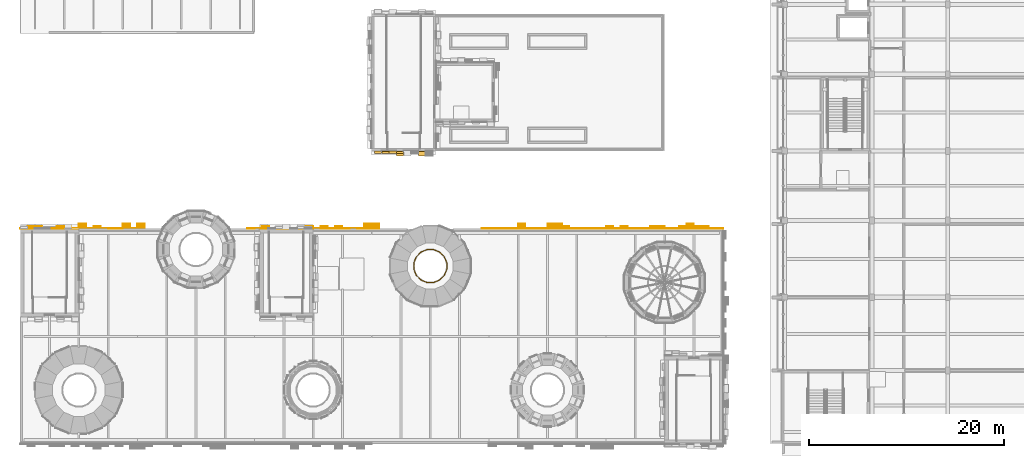
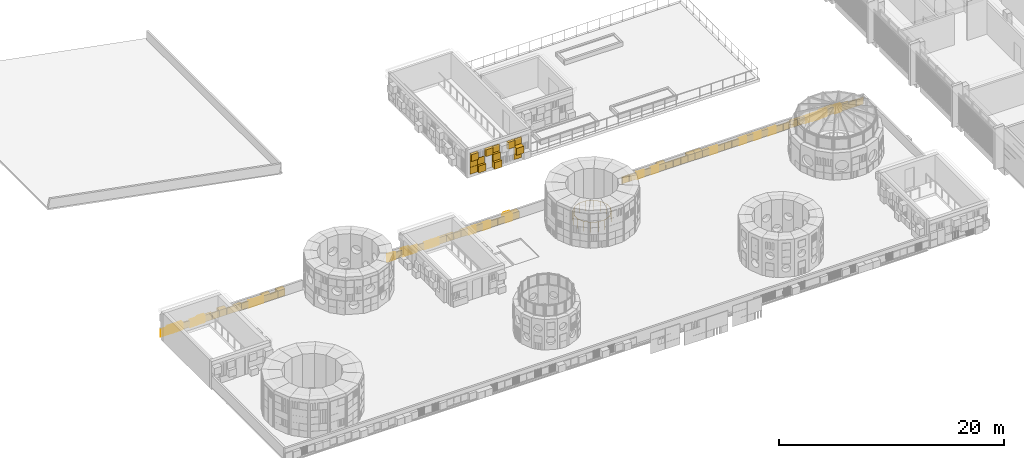
# One storey, part 79 of 98: 9 coverings, 1 railing.
"""IFC4 building model written with IfcOpenShell, lengths in metres."""

import ifcopenshell
import ifcopenshell.guid

model = None  # the IFC model being written
_history = None  # IfcOwnerHistory: only IFC2X3 demands one
_inside = {}  # id of a spatial element -> (the spatial element, [elements in it])
_under = {}  # id of a project, library or spatial element -> (it, [spatial elements below it])
_declared = {}  # id of a project -> (the project, [libraries it declares])
_typed = {}  # id of a type object -> (the type object, [elements of that type])
_made_of = {}  # id of a material, layer set ... -> (it, [elements and type objects made of it])


def new_model(schema):
    """Start an empty IFC model of exactly this schema.

    Asked for "IFC4X3", IfcOpenShell would pick the latest addendum, in which some entities
    have other attributes; the version numbers below select the first issue.
    IFC2X3 requires an IfcOwnerHistory on every rooted entity: one is made here for all.
    """
    global model, _history
    if schema == "IFC4X3":
        model = ifcopenshell.file(schema_version=(4, 3, 0, 0))
    else:
        model = ifcopenshell.file(schema=schema)
    _inside.clear()
    _under.clear()
    _declared.clear()
    _typed.clear()
    _made_of.clear()
    _history = None
    if model.schema == "IFC2X3":
        org = make("IfcOrganization", Name="unknown")
        user = make(
            "IfcPersonAndOrganization",
            ThePerson=make("IfcPerson", FamilyName="unknown"),
            TheOrganization=org,
        )
        app = make(
            "IfcApplication",
            ApplicationDeveloper=org,
            Version="unknown",
            ApplicationFullName="unknown",
            ApplicationIdentifier="unknown",
        )
        _history = make(
            "IfcOwnerHistory",
            OwningUser=user,
            OwningApplication=app,
            ChangeAction="ADDED",
            CreationDate=0,
        )
    return model


def make(cls, **values):
    """One entity of the class cls with the attributes given. An attribute that is None is left unset."""
    return model.create_entity(
        cls, **{name: value for name, value in values.items() if value is not None}
    )


def rooted(cls, **values):
    """An entity with a GlobalId (a new one), such as an element, a storey or a relation."""
    return make(cls, GlobalId=ifcopenshell.guid.new(), OwnerHistory=_history, **values)


def si_unit(unit_type, name, prefix=None):
    """IfcSIUnit, for example si_unit("LENGTHUNIT", "METRE", prefix="MILLI")."""
    return make("IfcSIUnit", UnitType=unit_type, Prefix=prefix, Name=name)


def assignment(units):
    """IfcUnitAssignment: the units of a project."""
    return None if units is None else make("IfcUnitAssignment", Units=units)


def point(xyz):
    """IfcCartesianPoint."""
    return None if xyz is None else make("IfcCartesianPoint", Coordinates=xyz)


def direction(xyz):
    """IfcDirection."""
    return None if xyz is None else make("IfcDirection", DirectionRatios=xyz)


def frame(location, z_axis=None, x_axis=None):
    """IfcAxis2Placement3D, a coordinate frame: its origin and axes. An axis left out is left unset."""
    return make(
        "IfcAxis2Placement3D",
        Location=point(location),
        Axis=direction(z_axis),
        RefDirection=direction(x_axis),
    )


def frame_2d(location, x_axis=None):
    """IfcAxis2Placement2D, a coordinate frame in the plane: its origin and x axis."""
    return make(
        "IfcAxis2Placement2D", Location=point(location), RefDirection=direction(x_axis)
    )


def origin():
    """The frame at (0, 0, 0) with its axes left unset."""
    return frame((0.0, 0.0, 0.0))


def origin_2d():
    """The frame at (0, 0) in the plane with its x axis left unset."""
    return frame_2d((0.0, 0.0))


def place(relative_to, where):
    """IfcLocalPlacement: puts the frame where relative to a parent placement (None: the world)."""
    return make(
        "IfcLocalPlacement", PlacementRelTo=relative_to, RelativePlacement=where
    )


def context(
    kind, dimensions, precision=None, world=None, true_north=None, identifier=None
):
    """IfcGeometricRepresentationContext, for example the 3D "Model" context."""
    return make(
        "IfcGeometricRepresentationContext",
        ContextIdentifier=identifier,
        ContextType=kind,
        CoordinateSpaceDimension=dimensions,
        Precision=precision,
        WorldCoordinateSystem=world,
        TrueNorth=true_north,
    )


def subcontext(parent, identifier, kind, view, scale=None):
    """IfcGeometricRepresentationSubContext, for example "Body" below "Model"."""
    return make(
        "IfcGeometricRepresentationSubContext",
        ContextIdentifier=identifier,
        ContextType=kind,
        ParentContext=parent,
        TargetScale=scale,
        TargetView=view,
    )


def project(units=None, contexts=None):
    """IfcProject with its units and contexts."""
    return rooted(
        "IfcProject",
        Name="project",
        RepresentationContexts=contexts,
        UnitsInContext=assignment(units),
    )


def spatial(cls, under=None, at=None, **own):
    """A site, building, storey or space (cls), placed at a placement, below another one or the project."""
    s = rooted(cls, ObjectPlacement=at, **own)
    if under is not None:
        _under.setdefault(under.id(), (under, []))[1].append(s)
    return s


def profile(cls, at=None, kind="AREA", **sizes):
    """A parametric profile (cls). Its sizes go by their IFC names, for example OverallWidth=200.0."""
    return make(cls, ProfileType=kind, Position=at, **sizes)


def rectangle(**sizes):
    """IfcRectangleProfileDef."""
    return profile("IfcRectangleProfileDef", **sizes)


def circle(**sizes):
    """IfcCircleProfileDef."""
    return profile("IfcCircleProfileDef", **sizes)


def extrude(swept, where, along, depth):
    """IfcExtrudedAreaSolid: the profile swept, set in the frame where, extruded along a direction by depth."""
    return make(
        "IfcExtrudedAreaSolid",
        SweptArea=swept,
        Position=where,
        ExtrudedDirection=direction(along),
        Depth=depth,
    )


def shape(context_of_items, identifier, shape_type, items):
    """IfcShapeRepresentation: the items that make up one representation, for example the "Body"."""
    return make(
        "IfcShapeRepresentation",
        ContextOfItems=context_of_items,
        RepresentationIdentifier=identifier,
        RepresentationType=shape_type,
        Items=items,
    )


def material(Name=None, Category=None):
    """IfcMaterial."""
    return make("IfcMaterial", Name=Name, Category=Category)


def layer(
    of_material, thickness, ventilated=None, Name=None, Category=None, Priority=None
):
    """IfcMaterialLayer: one layer of a wall or slab, of a material (None: an air gap)."""
    return make(
        "IfcMaterialLayer",
        Material=of_material,
        LayerThickness=thickness,
        IsVentilated=ventilated,
        Name=Name,
        Category=Category,
        Priority=Priority,
    )


def layer_set(layers, Name=None):
    """IfcMaterialLayerSet."""
    return make("IfcMaterialLayerSet", MaterialLayers=layers, LayerSetName=Name)


def made_of(thing, what):
    """Note that an element or type object is made of a material, layer set ...; save() writes the relation."""
    if what is not None:
        _made_of.setdefault(what.id(), (what, []))[1].append(thing)
    return thing


def type_object(cls, material=None, **own):
    """A type object (cls), such as IfcWallType, which elements share."""
    return made_of(rooted(cls, **own), material)


def element(
    cls,
    number,
    at=None,
    inside=None,
    cuts=None,
    type_object=None,
    material=None,
    context=None,
    identifier="Body",
    shape_type=None,
    held_by="IfcProductDefinitionShape",
    body=None,
    shapes=None,
    **own,
):
    """One element of the class cls, such as IfcWall. Its Tag is "e" and its number.

    at: its placement. inside: the storey or other place that contains it. cuts: it is an
    opening in that element (IfcRelVoidsElement). A single representation is given by context,
    identifier, shape_type and body (its items); several are given by shapes. held_by: the class
    of the entity that holds the representations. save() writes the other relations.
    """
    e = rooted(cls, Tag="e%d" % number, ObjectPlacement=at, **own)
    if body is not None:
        shapes = [shape(context, identifier, shape_type, body)]
    if shapes is not None:
        e.Representation = make(held_by, Representations=shapes)
    if inside is not None:
        _inside.setdefault(inside.id(), (inside, []))[1].append(e)
    if cuts is not None:
        rooted(
            "IfcRelVoidsElement", RelatingBuildingElement=cuts, RelatedOpeningElement=e
        )
    if type_object is not None:
        _typed.setdefault(type_object.id(), (type_object, []))[1].append(e)
    return made_of(e, material)


def aggregate(whole, parts):
    """IfcRelAggregates: a whole, such as a stair, and the parts it consists of."""
    return rooted("IfcRelAggregates", RelatingObject=whole, RelatedObjects=parts)


def save(model, path):
    """Write the relations noted so far, then the file.

    IfcRelAggregates (storeys below a building ...), IfcRelContainedInSpatialStructure (elements
    in a storey), IfcRelDefinesByType, IfcRelAssociatesMaterial and IfcRelDeclares: one each for
    every whole, place, type object, material and project.
    """
    for whole, parts in _under.values():
        aggregate(whole, parts)
    for where, things in _inside.values():
        rooted(
            "IfcRelContainedInSpatialStructure",
            RelatedElements=things,
            RelatingStructure=where,
        )
    for kind, things in _typed.values():
        rooted("IfcRelDefinesByType", RelatedObjects=things, RelatingType=kind)
    for what, things in _made_of.values():
        rooted("IfcRelAssociatesMaterial", RelatedObjects=things, RelatingMaterial=what)
    for by, libraries in _declared.values():
        rooted("IfcRelDeclares", RelatingContext=by, RelatedDefinitions=libraries)
    model.write(path)


model = new_model("IFC4")

# Units and contexts
model_context = context("Model", 3, precision=1e-05, world=origin(), true_north=direction((0.0, 1.0)))
body_context = subcontext(model_context, "Body", "Model", "MODEL_VIEW")
ifc_project = project(units=[si_unit("LENGTHUNIT", "METRE"), si_unit("AREAUNIT", "SQUARE_METRE"), si_unit("VOLUMEUNIT", "CUBIC_METRE"), si_unit("PLANEANGLEUNIT", "RADIAN"), si_unit("MASSUNIT", "GRAM", prefix="KILO")], contexts=[model_context])

# Site, building, storey
site_placement = place(None, origin())
site = spatial("IfcSite", under=ifc_project, at=site_placement, CompositionType="ELEMENT")
building_placement = place(site_placement, origin())
building = spatial("IfcBuilding", under=site, at=building_placement, Name="Sun Court Science Centre", CompositionType="ELEMENT")
storey_placement = place(building_placement, frame((0.0, 0.0, 15.75)))
storey = spatial("IfcBuildingStorey", under=building, at=storey_placement, Name="L03", CompositionType="ELEMENT", Elevation=15.75)

# Railing
ifc_material_1 = material(Name="Steel S275", Category="steel")
railing_type = type_object("IfcRailingType", Name="Guard 1100 well balustrade", PredefinedType="GUARDRAIL", material=ifc_material_1)
railing_placement = place(storey_placement, frame((43.68701171875, 24.53564453125, 0.110107421875)))
element("IfcRailing", 1, at=railing_placement, inside=storey, type_object=railing_type, Name="C4 well guard L03", PredefinedType="GUARDRAIL", context=body_context, shape_type="SweptSolid", body=[
    extrude(circle(Radius=0.02392578125, at=origin_2d()), frame((0.0, 0.0, 1.076171875), z_axis=(-0.382780256271, 0.923839420792, 0.0), x_axis=(-0.923839420792, -0.382780256271, 0.0)), (0.0, 0.0, 1.0), 0.6708984375),
    extrude(circle(Radius=0.02392578125, at=origin_2d()), frame((-0.2568359375, 0.619873046875, 1.076171875), z_axis=(-0.707106781187, 0.707106781187, 0.0), x_axis=(-0.707106781187, -0.707106781187, 0.0)), (0.0, 0.0, 1.0), 0.671142578125),
    extrude(circle(Radius=0.02392578125, at=origin_2d()), frame((-0.7314453125, 1.094482421875, 1.076171875), z_axis=(-0.923892706888, 0.382651625058, 0.0), x_axis=(-0.382651625058, -0.923892706888, 0.0)), (0.0, 0.0, 1.0), 0.671142578125),
    extrude(circle(Radius=0.02392578125, at=origin_2d()), frame((-1.3515625, 1.351318359375, 1.076171875), z_axis=(-1.0, 0.0, 0.0), x_axis=(0.0, -1.0, 0.0)), (0.0, 0.0, 1.0), 0.6708984375),
    extrude(circle(Radius=0.02392578125, at=origin_2d()), frame((-2.0224609375, 1.351318359375, 1.076171875), z_axis=(-0.923892706888, -0.382651625058, 0.0), x_axis=(0.382651625058, -0.923892706888, 0.0)), (0.0, 0.0, 1.0), 0.671142578125),
    extrude(circle(Radius=0.02392578125, at=origin_2d()), frame((-2.642578125, 1.094482421875, 1.076171875), z_axis=(-0.707106781187, -0.707106781187, 0.0), x_axis=(0.707106781187, -0.707106781187, 0.0)), (0.0, 0.0, 1.0), 0.671142578125),
    extrude(circle(Radius=0.02392578125, at=origin_2d()), frame((-3.1171875, 0.619873046875, 1.076171875), z_axis=(-0.382780256271, -0.923839420792, 0.0), x_axis=(0.923839420792, -0.382780256271, 0.0)), (0.0, 0.0, 1.0), 0.6708984375),
    extrude(circle(Radius=0.02392578125, at=origin_2d()), frame((-3.3740234375, 0.0, 1.076171875), z_axis=(0.0, -1.0, 0.0), x_axis=(1.0, 0.0, 0.0)), (0.0, 0.0, 1.0), 0.671142578125),
    extrude(circle(Radius=0.02392578125, at=origin_2d()), frame((-3.3740234375, -0.671142578125, 1.076171875), z_axis=(0.382651625058, -0.923892706888, 0.0), x_axis=(0.923892706888, 0.382651625058, 0.0)), (0.0, 0.0, 1.0), 0.671142578125),
    extrude(circle(Radius=0.02392578125, at=origin_2d()), frame((-3.1171875, -1.291259765625, 1.076171875), z_axis=(0.707106781187, -0.707106781187, 0.0), x_axis=(0.707106781187, 0.707106781187, 0.0)), (0.0, 0.0, 1.0), 0.671142578125),
    extrude(circle(Radius=0.02392578125, at=origin_2d()), frame((-2.642578125, -1.765869140625, 1.076171875), z_axis=(0.923892706888, -0.382651625058, 0.0), x_axis=(0.382651625058, 0.923892706888, 0.0)), (0.0, 0.0, 1.0), 0.671142578125),
    extrude(circle(Radius=0.02392578125, at=origin_2d()), frame((-2.0224609375, -2.022705078125, 1.076171875), z_axis=(1.0, 0.0, 0.0), x_axis=(0.0, 1.0, 0.0)), (0.0, 0.0, 1.0), 0.6708984375),
    extrude(circle(Radius=0.02392578125, at=origin_2d()), frame((-1.3515625, -2.022705078125, 1.076171875), z_axis=(0.923892706888, 0.382651625058, 0.0), x_axis=(-0.382651625058, 0.923892706888, 0.0)), (0.0, 0.0, 1.0), 0.671142578125),
    extrude(circle(Radius=0.02392578125, at=origin_2d()), frame((-0.7314453125, -1.765869140625, 1.076171875), z_axis=(0.707106781187, 0.707106781187, 0.0), x_axis=(-0.707106781187, 0.707106781187, 0.0)), (0.0, 0.0, 1.0), 0.671142578125),
    extrude(circle(Radius=0.02392578125, at=origin_2d()), frame((-0.2568359375, -1.291259765625, 1.076171875), z_axis=(0.382651625058, 0.923892706888, 0.0), x_axis=(-0.923892706888, 0.382651625058, 0.0)), (0.0, 0.0, 1.0), 0.671142578125),
    extrude(circle(Radius=0.02392578125, at=origin_2d()), frame((0.0, -0.671142578125, 1.076171875), z_axis=(0.0, 1.0, 0.0), x_axis=(-1.0, 0.0, 0.0)), (0.0, 0.0, 1.0), 0.671142578125),
    extrude(circle(Radius=0.02099609375, at=origin_2d()), origin(), (0.0, 0.0, 1.0), 1.052001953125),
    extrude(circle(Radius=0.02099609375, at=origin_2d()), frame((-0.2568359375, 0.619873046875, 0.0)), (0.0, 0.0, 1.0), 1.052001953125),
    extrude(circle(Radius=0.02099609375, at=origin_2d()), frame((-0.7314453125, 1.094482421875, 0.0)), (0.0, 0.0, 1.0), 1.052001953125),
    extrude(circle(Radius=0.02099609375, at=origin_2d()), frame((-1.3515625, 1.351318359375, 0.0)), (0.0, 0.0, 1.0), 1.052001953125),
    extrude(circle(Radius=0.02099609375, at=origin_2d()), frame((-2.0224609375, 1.351318359375, 0.0)), (0.0, 0.0, 1.0), 1.052001953125),
    extrude(circle(Radius=0.02099609375, at=origin_2d()), frame((-2.642578125, 1.094482421875, 0.0)), (0.0, 0.0, 1.0), 1.052001953125),
    extrude(circle(Radius=0.02099609375, at=origin_2d()), frame((-3.1171875, 0.619873046875, 0.0)), (0.0, 0.0, 1.0), 1.052001953125),
    extrude(circle(Radius=0.02099609375, at=origin_2d()), frame((-3.3740234375, 0.0, 0.0)), (0.0, 0.0, 1.0), 1.052001953125),
    extrude(circle(Radius=0.02099609375, at=origin_2d()), frame((-3.3740234375, -0.671142578125, 0.0)), (0.0, 0.0, 1.0), 1.052001953125),
    extrude(circle(Radius=0.02099609375, at=origin_2d()), frame((-3.1171875, -1.291259765625, 0.0)), (0.0, 0.0, 1.0), 1.052001953125),
    extrude(circle(Radius=0.02099609375, at=origin_2d()), frame((-2.642578125, -1.765869140625, 0.0)), (0.0, 0.0, 1.0), 1.052001953125),
    extrude(circle(Radius=0.02099609375, at=origin_2d()), frame((-2.0224609375, -2.022705078125, 0.0)), (0.0, 0.0, 1.0), 1.052001953125),
    extrude(circle(Radius=0.02099609375, at=origin_2d()), frame((-1.3515625, -2.022705078125, 0.0)), (0.0, 0.0, 1.0), 1.052001953125),
    extrude(circle(Radius=0.02099609375, at=origin_2d()), frame((-0.7314453125, -1.765869140625, 0.0)), (0.0, 0.0, 1.0), 1.052001953125),
    extrude(circle(Radius=0.02099609375, at=origin_2d()), frame((-0.2568359375, -1.291259765625, 0.0)), (0.0, 0.0, 1.0), 1.052001953125),
    extrude(circle(Radius=0.02099609375, at=origin_2d()), frame((0.0, -0.671142578125, 0.0)), (0.0, 0.0, 1.0), 1.052001953125),
])

# Coverings
ifc_material_2 = material(Name="Terracotta jali", Category="masonry")
ifc_layer_1 = layer(ifc_material_2, 0.06005859375)
ifc_layer_set_1 = layer_set([ifc_layer_1], Name="Terracotta jali")
covering_type_1 = type_object("IfcCoveringType", Name="Terracotta open jali panel", PredefinedType="CLADDING", material=ifc_layer_set_1)
covering_1_placement = place(storey_placement, frame((0.0, 0.0, -15.75)))
element("IfcCovering", 2, at=covering_1_placement, inside=storey, type_object=covering_type_1, Name="Open jali pixel cladding north face L03", PredefinedType="CLADDING", context=body_context, shape_type="SweptSolid", body=[
    extrude(rectangle(XDim=0.139892578125, YDim=0.06005859375, at=origin_2d()), frame((3.074951171875, 28.030029296875, 15.7548828125), z_axis=(0.0, 0.0, 1.0), x_axis=(1.0, 0.0, 0.0)), (0.0, 0.0, 1.0), 0.739990234375),
    extrude(rectangle(XDim=0.139892578125, YDim=0.06005859375, at=origin_2d()), frame((3.375, 28.030029296875, 15.7548828125), z_axis=(0.0, 0.0, 1.0), x_axis=(1.0, 0.0, 0.0)), (0.0, 0.0, 1.0), 0.739990234375),
    extrude(rectangle(XDim=0.139892578125, YDim=0.06005859375, at=origin_2d()), frame((3.675048828125, 28.030029296875, 15.7548828125), z_axis=(0.0, 0.0, 1.0), x_axis=(1.0, 0.0, 0.0)), (0.0, 0.0, 1.0), 0.739990234375),
    extrude(rectangle(XDim=0.139892578125, YDim=0.06005859375, at=origin_2d()), frame((9.074951171875, 28.030029296875, 15.7548828125), z_axis=(0.0, 0.0, 1.0), x_axis=(1.0, 0.0, 0.0)), (0.0, 0.0, 1.0), 0.739990234375),
    extrude(rectangle(XDim=0.139892578125, YDim=0.06005859375, at=origin_2d()), frame((9.375, 28.030029296875, 15.7548828125), z_axis=(0.0, 0.0, 1.0), x_axis=(1.0, 0.0, 0.0)), (0.0, 0.0, 1.0), 0.739990234375),
    extrude(rectangle(XDim=0.139892578125, YDim=0.06005859375, at=origin_2d()), frame((9.675048828125, 28.030029296875, 15.7548828125), z_axis=(0.0, 0.0, 1.0), x_axis=(1.0, 0.0, 0.0)), (0.0, 0.0, 1.0), 0.739990234375),
    extrude(rectangle(XDim=0.139892578125, YDim=0.06005859375, at=origin_2d()), frame((9.824951171875, 28.030029296875, 15.7548828125), z_axis=(0.0, 0.0, 1.0), x_axis=(1.0, 0.0, 0.0)), (0.0, 0.0, 1.0), 0.739990234375),
    extrude(rectangle(XDim=0.139892578125, YDim=0.06005859375, at=origin_2d()), frame((10.125, 28.030029296875, 15.7548828125), z_axis=(0.0, 0.0, 1.0), x_axis=(1.0, 0.0, 0.0)), (0.0, 0.0, 1.0), 0.739990234375),
    extrude(rectangle(XDim=0.139892578125, YDim=0.06005859375, at=origin_2d()), frame((10.425048828125, 28.030029296875, 15.7548828125), z_axis=(0.0, 0.0, 1.0), x_axis=(1.0, 0.0, 0.0)), (0.0, 0.0, 1.0), 0.739990234375),
    extrude(rectangle(XDim=0.139892578125, YDim=0.06005859375, at=origin_2d()), frame((23.324951171875, 28.030029296875, 15.7548828125), z_axis=(0.0, 0.0, 1.0), x_axis=(1.0, 0.0, 0.0)), (0.0, 0.0, 1.0), 0.739990234375),
    extrude(rectangle(XDim=0.139892578125, YDim=0.06005859375, at=origin_2d()), frame((23.625, 28.030029296875, 15.7548828125), z_axis=(0.0, 0.0, 1.0), x_axis=(1.0, 0.0, 0.0)), (0.0, 0.0, 1.0), 0.739990234375),
    extrude(rectangle(XDim=0.139892578125, YDim=0.06005859375, at=origin_2d()), frame((23.925048828125, 28.030029296875, 15.7548828125), z_axis=(0.0, 0.0, 1.0), x_axis=(1.0, 0.0, 0.0)), (0.0, 0.0, 1.0), 0.739990234375),
    extrude(rectangle(XDim=0.139892578125, YDim=0.06005859375, at=origin_2d()), frame((31.574951171875, 28.030029296875, 15.7548828125), z_axis=(0.0, 0.0, 1.0), x_axis=(1.0, 0.0, 0.0)), (0.0, 0.0, 1.0), 0.739990234375),
    extrude(rectangle(XDim=0.139892578125, YDim=0.06005859375, at=origin_2d()), frame((31.875, 28.030029296875, 15.7548828125), z_axis=(0.0, 0.0, 1.0), x_axis=(1.0, 0.0, 0.0)), (0.0, 0.0, 1.0), 0.739990234375),
    extrude(rectangle(XDim=0.139892578125, YDim=0.06005859375, at=origin_2d()), frame((32.175048828125, 28.030029296875, 15.7548828125), z_axis=(0.0, 0.0, 1.0), x_axis=(1.0, 0.0, 0.0)), (0.0, 0.0, 1.0), 0.739990234375),
    extrude(rectangle(XDim=0.139892578125, YDim=0.06005859375, at=origin_2d()), frame((33.074951171875, 28.030029296875, 15.7548828125), z_axis=(0.0, 0.0, 1.0), x_axis=(1.0, 0.0, 0.0)), (0.0, 0.0, 1.0), 0.739990234375),
    extrude(rectangle(XDim=0.139892578125, YDim=0.06005859375, at=origin_2d()), frame((33.375, 28.030029296875, 15.7548828125), z_axis=(0.0, 0.0, 1.0), x_axis=(1.0, 0.0, 0.0)), (0.0, 0.0, 1.0), 0.739990234375),
    extrude(rectangle(XDim=0.139892578125, YDim=0.06005859375, at=origin_2d()), frame((33.675048828125, 28.030029296875, 15.7548828125), z_axis=(0.0, 0.0, 1.0), x_axis=(1.0, 0.0, 0.0)), (0.0, 0.0, 1.0), 0.739990234375),
    extrude(rectangle(XDim=0.139892578125, YDim=0.06005859375, at=origin_2d()), frame((50.324951171875, 28.030029296875, 15.7548828125), z_axis=(0.0, 0.0, 1.0), x_axis=(1.0, 0.0, 0.0)), (0.0, 0.0, 1.0), 0.739990234375),
    extrude(rectangle(XDim=0.139892578125, YDim=0.06005859375, at=origin_2d()), frame((50.625, 28.030029296875, 15.7548828125), z_axis=(0.0, 0.0, 1.0), x_axis=(1.0, 0.0, 0.0)), (0.0, 0.0, 1.0), 0.739990234375),
    extrude(rectangle(XDim=0.139892578125, YDim=0.06005859375, at=origin_2d()), frame((50.925048828125, 28.030029296875, 15.7548828125), z_axis=(0.0, 0.0, 1.0), x_axis=(1.0, 0.0, 0.0)), (0.0, 0.0, 1.0), 0.739990234375),
    extrude(rectangle(XDim=0.139892578125, YDim=0.06005859375, at=origin_2d()), frame((59.324951171875, 28.030029296875, 15.7548828125), z_axis=(0.0, 0.0, 1.0), x_axis=(1.0, 0.0, 0.0)), (0.0, 0.0, 1.0), 0.739990234375),
    extrude(rectangle(XDim=0.139892578125, YDim=0.06005859375, at=origin_2d()), frame((59.625, 28.030029296875, 15.7548828125), z_axis=(0.0, 0.0, 1.0), x_axis=(1.0, 0.0, 0.0)), (0.0, 0.0, 1.0), 0.739990234375),
    extrude(rectangle(XDim=0.139892578125, YDim=0.06005859375, at=origin_2d()), frame((59.925048828125, 28.030029296875, 15.7548828125), z_axis=(0.0, 0.0, 1.0), x_axis=(1.0, 0.0, 0.0)), (0.0, 0.0, 1.0), 0.739990234375),
    extrude(rectangle(XDim=0.139892578125, YDim=0.06005859375, at=origin_2d()), frame((66.074951171875, 28.030029296875, 15.7548828125), z_axis=(0.0, 0.0, 1.0), x_axis=(1.0, 0.0, 0.0)), (0.0, 0.0, 1.0), 0.739990234375),
    extrude(rectangle(XDim=0.139892578125, YDim=0.06005859375, at=origin_2d()), frame((66.375, 28.030029296875, 15.7548828125), z_axis=(0.0, 0.0, 1.0), x_axis=(1.0, 0.0, 0.0)), (0.0, 0.0, 1.0), 0.739990234375),
    extrude(rectangle(XDim=0.139892578125, YDim=0.06005859375, at=origin_2d()), frame((66.675048828125, 28.030029296875, 15.7548828125), z_axis=(0.0, 0.0, 1.0), x_axis=(1.0, 0.0, 0.0)), (0.0, 0.0, 1.0), 0.739990234375),
    extrude(rectangle(XDim=0.139892578125, YDim=0.06005859375, at=origin_2d()), frame((66.824951171875, 28.030029296875, 15.7548828125), z_axis=(0.0, 0.0, 1.0), x_axis=(1.0, 0.0, 0.0)), (0.0, 0.0, 1.0), 0.739990234375),
    extrude(rectangle(XDim=0.139892578125, YDim=0.06005859375, at=origin_2d()), frame((67.125, 28.030029296875, 15.7548828125), z_axis=(0.0, 0.0, 1.0), x_axis=(1.0, 0.0, 0.0)), (0.0, 0.0, 1.0), 0.739990234375),
    extrude(rectangle(XDim=0.139892578125, YDim=0.06005859375, at=origin_2d()), frame((67.425048828125, 28.030029296875, 15.7548828125), z_axis=(0.0, 0.0, 1.0), x_axis=(1.0, 0.0, 0.0)), (0.0, 0.0, 1.0), 0.739990234375),
])
ifc_material_3 = material(Name="Terracotta shade 1", Category="masonry")
ifc_layer_2 = layer(ifc_material_3, 0.06005859375)
ifc_layer_set_2 = layer_set([ifc_layer_2], Name="Terracotta shade 1")
covering_type_2 = type_object("IfcCoveringType", Name="Terracotta pixel panel shade 1", PredefinedType="CLADDING", material=ifc_layer_set_2)
covering_2_placement = place(storey_placement, frame((0.0, 0.0, -15.75)))
element("IfcCovering", 3, at=covering_2_placement, inside=storey, type_object=covering_type_2, Name="Terracotta pixel cladding shade 1 north face L03", PredefinedType="CLADDING", context=body_context, shape_type="SweptSolid", body=[
    extrude(rectangle(XDim=0.739990234375, YDim=0.06005859375, at=origin_2d()), frame((2.625, 28.030029296875, 15.7548828125), z_axis=(0.0, 0.0, 1.0), x_axis=(1.0, 0.0, 0.0)), (0.0, 0.0, 1.0), 0.739990234375),
    extrude(rectangle(XDim=0.739990234375, YDim=0.260009765625, at=origin_2d()), frame((4.875, 28.1298828125, 15.7548828125), z_axis=(0.0, 0.0, 1.0), x_axis=(1.0, 0.0, 0.0)), (0.0, 0.0, 1.0), 0.739990234375),
    extrude(rectangle(XDim=0.739990234375, YDim=0.510009765625, at=origin_2d()), frame((6.375, 28.2548828125, 15.7548828125), z_axis=(0.0, 0.0, 1.0), x_axis=(1.0, 0.0, 0.0)), (0.0, 0.0, 1.0), 0.739990234375),
    extrude(rectangle(XDim=0.739990234375, YDim=0.06005859375, at=origin_2d()), frame((8.625, 28.030029296875, 15.7548828125), z_axis=(0.0, 0.0, 1.0), x_axis=(1.0, 0.0, 0.0)), (0.0, 0.0, 1.0), 0.739990234375),
    extrude(rectangle(XDim=0.739990234375, YDim=0.510009765625, at=origin_2d()), frame((12.375, 28.2548828125, 15.7548828125), z_axis=(0.0, 0.0, 1.0), x_axis=(1.0, 0.0, 0.0)), (0.0, 0.0, 1.0), 0.739990234375),
    extrude(rectangle(XDim=0.739990234375, YDim=0.06005859375, at=origin_2d()), frame((30.375, 28.030029296875, 15.7548828125), z_axis=(0.0, 0.0, 1.0), x_axis=(1.0, 0.0, 0.0)), (0.0, 0.0, 1.0), 0.739990234375),
    extrude(rectangle(XDim=0.739990234375, YDim=0.06005859375, at=origin_2d()), frame((34.125, 28.030029296875, 15.7548828125), z_axis=(0.0, 0.0, 1.0), x_axis=(1.0, 0.0, 0.0)), (0.0, 0.0, 1.0), 0.739990234375),
    extrude(rectangle(XDim=0.739990234375, YDim=0.510009765625, at=origin_2d()), frame((51.375, 28.2548828125, 15.7548828125), z_axis=(0.0, 0.0, 1.0), x_axis=(1.0, 0.0, 0.0)), (0.0, 0.0, 1.0), 0.739990234375),
    extrude(rectangle(XDim=0.739990234375, YDim=0.06005859375, at=origin_2d()), frame((52.125, 28.030029296875, 15.7548828125), z_axis=(0.0, 0.0, 1.0), x_axis=(1.0, 0.0, 0.0)), (0.0, 0.0, 1.0), 0.739990234375),
    extrude(rectangle(XDim=0.739990234375, YDim=0.06005859375, at=origin_2d()), frame((52.875, 28.030029296875, 15.7548828125), z_axis=(0.0, 0.0, 1.0), x_axis=(1.0, 0.0, 0.0)), (0.0, 0.0, 1.0), 0.739990234375),
    extrude(rectangle(XDim=0.739990234375, YDim=0.06005859375, at=origin_2d()), frame((53.625, 28.030029296875, 15.7548828125), z_axis=(0.0, 0.0, 1.0), x_axis=(1.0, 0.0, 0.0)), (0.0, 0.0, 1.0), 0.739990234375),
    extrude(rectangle(XDim=0.739990234375, YDim=0.510009765625, at=origin_2d()), frame((55.125, 28.2548828125, 15.7548828125), z_axis=(0.0, 0.0, 1.0), x_axis=(1.0, 0.0, 0.0)), (0.0, 0.0, 1.0), 0.739990234375),
    extrude(rectangle(XDim=0.739990234375, YDim=0.06005859375, at=origin_2d()), frame((58.125, 28.030029296875, 15.7548828125), z_axis=(0.0, 0.0, 1.0), x_axis=(1.0, 0.0, 0.0)), (0.0, 0.0, 1.0), 0.739990234375),
    extrude(rectangle(XDim=0.739990234375, YDim=0.260009765625, at=origin_2d()), frame((60.375, 28.1298828125, 15.7548828125), z_axis=(0.0, 0.0, 1.0), x_axis=(1.0, 0.0, 0.0)), (0.0, 0.0, 1.0), 0.739990234375),
    extrude(rectangle(XDim=0.739990234375, YDim=0.260009765625, at=origin_2d()), frame((61.875, 28.1298828125, 15.7548828125), z_axis=(0.0, 0.0, 1.0), x_axis=(1.0, 0.0, 0.0)), (0.0, 0.0, 1.0), 0.739990234375),
    extrude(rectangle(XDim=0.739990234375, YDim=0.06005859375, at=origin_2d()), frame((64.125, 28.030029296875, 15.7548828125), z_axis=(0.0, 0.0, 1.0), x_axis=(1.0, 0.0, 0.0)), (0.0, 0.0, 1.0), 0.739990234375),
    extrude(rectangle(XDim=0.739990234375, YDim=0.260009765625, at=origin_2d()), frame((65.625, 28.1298828125, 15.7548828125), z_axis=(0.0, 0.0, 1.0), x_axis=(1.0, 0.0, 0.0)), (0.0, 0.0, 1.0), 0.739990234375),
])
covering_3_placement = place(storey_placement, frame((0.0, 0.0, -15.75)))
element("IfcCovering", 4, at=covering_3_placement, inside=storey, type_object=covering_type_2, Name="Terracotta pixel cladding shade 1 south face of core L03", PredefinedType="CLADDING", context=body_context, shape_type="SweptSolid", body=[
    extrude(rectangle(XDim=0.739990234375, YDim=0.510009765625, at=origin_2d()), frame((38.89990234375, 35.7451171875, 15.830078125), z_axis=(0.0, 0.0, 1.0), x_axis=(-1.0, 0.0, 0.0)), (0.0, 0.0, 1.0), 0.739990234375),
    extrude(rectangle(XDim=0.739990234375, YDim=0.06005859375, at=origin_2d()), frame((36.64990234375, 35.969970703125, 15.830078125), z_axis=(0.0, 0.0, 1.0), x_axis=(-1.0, 0.0, 0.0)), (0.0, 0.0, 1.0), 0.739990234375),
    extrude(rectangle(XDim=0.739990234375, YDim=0.510009765625, at=origin_2d()), frame((41.14990234375, 35.7451171875, 16.580078125), z_axis=(0.0, 0.0, 1.0), x_axis=(-1.0, 0.0, 0.0)), (0.0, 0.0, 1.0), 0.739990234375),
    extrude(rectangle(XDim=0.739990234375, YDim=0.260009765625, at=origin_2d()), frame((38.89990234375, 35.8701171875, 16.580078125), z_axis=(0.0, 0.0, 1.0), x_axis=(-1.0, 0.0, 0.0)), (0.0, 0.0, 1.0), 0.739990234375),
    extrude(rectangle(XDim=0.739990234375, YDim=0.260009765625, at=origin_2d()), frame((40.39990234375, 35.8701171875, 17.330078125), z_axis=(0.0, 0.0, 1.0), x_axis=(-1.0, 0.0, 0.0)), (0.0, 0.0, 1.0), 0.739990234375),
    extrude(rectangle(XDim=0.739990234375, YDim=0.06005859375, at=origin_2d()), frame((38.89990234375, 35.969970703125, 17.330078125), z_axis=(0.0, 0.0, 1.0), x_axis=(-1.0, 0.0, 0.0)), (0.0, 0.0, 1.0), 0.739990234375),
    extrude(rectangle(XDim=0.739990234375, YDim=0.260009765625, at=origin_2d()), frame((36.64990234375, 35.8701171875, 17.330078125), z_axis=(0.0, 0.0, 1.0), x_axis=(-1.0, 0.0, 0.0)), (0.0, 0.0, 1.0), 0.739990234375),
    extrude(rectangle(XDim=0.739990234375, YDim=0.06005859375, at=origin_2d()), frame((41.14990234375, 35.969970703125, 17.330078125), z_axis=(0.0, 0.0, 1.0), x_axis=(-1.0, 0.0, 0.0)), (0.0, 0.0, 1.0), 0.739990234375),
    extrude(rectangle(XDim=0.739990234375, YDim=0.06005859375, at=origin_2d()), frame((36.64990234375, 35.969970703125, 16.580078125), z_axis=(0.0, 0.0, 1.0), x_axis=(-1.0, 0.0, 0.0)), (0.0, 0.0, 1.0), 0.739990234375),
    extrude(rectangle(XDim=0.739990234375, YDim=0.06005859375, at=origin_2d()), frame((41.14990234375, 35.969970703125, 15.830078125), z_axis=(0.0, 0.0, 1.0), x_axis=(-1.0, 0.0, 0.0)), (0.0, 0.0, 1.0), 0.739990234375),
])
ifc_material_4 = material(Name="Terracotta shade 2", Category="masonry")
ifc_layer_3 = layer(ifc_material_4, 0.06005859375)
ifc_layer_set_3 = layer_set([ifc_layer_3], Name="Terracotta shade 2")
covering_type_3 = type_object("IfcCoveringType", Name="Terracotta pixel panel shade 2", PredefinedType="CLADDING", material=ifc_layer_set_3)
covering_4_placement = place(storey_placement, frame((0.0, 0.0, -15.75)))
element("IfcCovering", 5, at=covering_4_placement, inside=storey, type_object=covering_type_3, Name="Terracotta pixel cladding shade 2 north face L03", PredefinedType="CLADDING", context=body_context, shape_type="SweptSolid", body=[
    extrude(rectangle(XDim=0.739990234375, YDim=0.06005859375, at=origin_2d()), frame((7.125, 28.030029296875, 15.7548828125), z_axis=(0.0, 0.0, 1.0), x_axis=(1.0, 0.0, 0.0)), (0.0, 0.0, 1.0), 0.739990234375),
    extrude(rectangle(XDim=0.739990234375, YDim=0.260009765625, at=origin_2d()), frame((7.875, 28.1298828125, 15.7548828125), z_axis=(0.0, 0.0, 1.0), x_axis=(1.0, 0.0, 0.0)), (0.0, 0.0, 1.0), 0.739990234375),
    extrude(rectangle(XDim=0.739990234375, YDim=0.06005859375, at=origin_2d()), frame((24.375, 28.030029296875, 15.7548828125), z_axis=(0.0, 0.0, 1.0), x_axis=(1.0, 0.0, 0.0)), (0.0, 0.0, 1.0), 0.739990234375),
    extrude(rectangle(XDim=0.739990234375, YDim=0.260009765625, at=origin_2d()), frame((28.875, 28.1298828125, 15.7548828125), z_axis=(0.0, 0.0, 1.0), x_axis=(1.0, 0.0, 0.0)), (0.0, 0.0, 1.0), 0.739990234375),
    extrude(rectangle(XDim=0.739990234375, YDim=0.06005859375, at=origin_2d()), frame((34.875, 28.030029296875, 15.7548828125), z_axis=(0.0, 0.0, 1.0), x_axis=(1.0, 0.0, 0.0)), (0.0, 0.0, 1.0), 0.739990234375),
    extrude(rectangle(XDim=0.739990234375, YDim=0.510009765625, at=origin_2d()), frame((36.375, 28.2548828125, 15.7548828125), z_axis=(0.0, 0.0, 1.0), x_axis=(1.0, 0.0, 0.0)), (0.0, 0.0, 1.0), 0.739990234375),
    extrude(rectangle(XDim=0.739990234375, YDim=0.06005859375, at=origin_2d()), frame((48.375, 28.030029296875, 15.7548828125), z_axis=(0.0, 0.0, 1.0), x_axis=(1.0, 0.0, 0.0)), (0.0, 0.0, 1.0), 0.739990234375),
    extrude(rectangle(XDim=0.739990234375, YDim=0.06005859375, at=origin_2d()), frame((49.875, 28.030029296875, 15.7548828125), z_axis=(0.0, 0.0, 1.0), x_axis=(1.0, 0.0, 0.0)), (0.0, 0.0, 1.0), 0.739990234375),
    extrude(rectangle(XDim=0.739990234375, YDim=0.510009765625, at=origin_2d()), frame((54.375, 28.2548828125, 15.7548828125), z_axis=(0.0, 0.0, 1.0), x_axis=(1.0, 0.0, 0.0)), (0.0, 0.0, 1.0), 0.739990234375),
    extrude(rectangle(XDim=0.739990234375, YDim=0.260009765625, at=origin_2d()), frame((55.875, 28.1298828125, 15.7548828125), z_axis=(0.0, 0.0, 1.0), x_axis=(1.0, 0.0, 0.0)), (0.0, 0.0, 1.0), 0.739990234375),
    extrude(rectangle(XDim=0.739990234375, YDim=0.06005859375, at=origin_2d()), frame((57.375, 28.030029296875, 15.7548828125), z_axis=(0.0, 0.0, 1.0), x_axis=(1.0, 0.0, 0.0)), (0.0, 0.0, 1.0), 0.739990234375),
    extrude(rectangle(XDim=0.739990234375, YDim=0.06005859375, at=origin_2d()), frame((58.875, 28.030029296875, 15.7548828125), z_axis=(0.0, 0.0, 1.0), x_axis=(1.0, 0.0, 0.0)), (0.0, 0.0, 1.0), 0.739990234375),
    extrude(rectangle(XDim=0.739990234375, YDim=0.260009765625, at=origin_2d()), frame((70.125, 28.1298828125, 15.7548828125), z_axis=(0.0, 0.0, 1.0), x_axis=(1.0, 0.0, 0.0)), (0.0, 0.0, 1.0), 0.739990234375),
    extrude(rectangle(XDim=0.739990234375, YDim=0.06005859375, at=origin_2d()), frame((70.875, 28.030029296875, 15.7548828125), z_axis=(0.0, 0.0, 1.0), x_axis=(1.0, 0.0, 0.0)), (0.0, 0.0, 1.0), 0.739990234375),
])
covering_5_placement = place(storey_placement, frame((0.0, 0.0, -15.75)))
element("IfcCovering", 6, at=covering_5_placement, inside=storey, type_object=covering_type_3, Name="Terracotta pixel cladding shade 2 south face of core L03", PredefinedType="CLADDING", context=body_context, shape_type="SweptSolid", body=[
    extrude(rectangle(XDim=0.739990234375, YDim=0.260009765625, at=origin_2d()), frame((37.39990234375, 35.8701171875, 15.830078125), z_axis=(0.0, 0.0, 1.0), x_axis=(-1.0, 0.0, 0.0)), (0.0, 0.0, 1.0), 0.739990234375),
    extrude(rectangle(XDim=0.739990234375, YDim=0.06005859375, at=origin_2d()), frame((37.39990234375, 35.969970703125, 16.580078125), z_axis=(0.0, 0.0, 1.0), x_axis=(-1.0, 0.0, 0.0)), (0.0, 0.0, 1.0), 0.739990234375),
])
ifc_material_5 = material(Name="Terracotta shade 3", Category="masonry")
ifc_layer_4 = layer(ifc_material_5, 0.06005859375)
ifc_layer_set_4 = layer_set([ifc_layer_4], Name="Terracotta shade 3")
covering_type_4 = type_object("IfcCoveringType", Name="Terracotta pixel panel shade 3", PredefinedType="CLADDING", material=ifc_layer_set_4)
covering_6_placement = place(storey_placement, frame((0.0, 0.0, -15.75)))
element("IfcCovering", 7, at=covering_6_placement, inside=storey, type_object=covering_type_4, Name="Terracotta pixel cladding shade 3 north face L03", PredefinedType="CLADDING", context=body_context, shape_type="SweptSolid", body=[
    extrude(rectangle(XDim=0.739990234375, YDim=0.06005859375, at=origin_2d()), frame((5.625, 28.030029296875, 15.7548828125), z_axis=(0.0, 0.0, 1.0), x_axis=(1.0, 0.0, 0.0)), (0.0, 0.0, 1.0), 0.739990234375),
    extrude(rectangle(XDim=0.739990234375, YDim=0.510009765625, at=origin_2d()), frame((10.875, 28.2548828125, 15.7548828125), z_axis=(0.0, 0.0, 1.0), x_axis=(1.0, 0.0, 0.0)), (0.0, 0.0, 1.0), 0.739990234375),
    extrude(rectangle(XDim=0.739990234375, YDim=0.06005859375, at=origin_2d()), frame((11.625, 28.030029296875, 15.7548828125), z_axis=(0.0, 0.0, 1.0), x_axis=(1.0, 0.0, 0.0)), (0.0, 0.0, 1.0), 0.739990234375),
    extrude(rectangle(XDim=0.739990234375, YDim=0.06005859375, at=origin_2d()), frame((26.625, 28.030029296875, 15.7548828125), z_axis=(0.0, 0.0, 1.0), x_axis=(1.0, 0.0, 0.0)), (0.0, 0.0, 1.0), 0.739990234375),
    extrude(rectangle(XDim=0.739990234375, YDim=0.260009765625, at=origin_2d()), frame((29.625, 28.1298828125, 15.7548828125), z_axis=(0.0, 0.0, 1.0), x_axis=(1.0, 0.0, 0.0)), (0.0, 0.0, 1.0), 0.739990234375),
    extrude(rectangle(XDim=0.739990234375, YDim=0.260009765625, at=origin_2d()), frame((31.125, 28.1298828125, 15.7548828125), z_axis=(0.0, 0.0, 1.0), x_axis=(1.0, 0.0, 0.0)), (0.0, 0.0, 1.0), 0.739990234375),
    extrude(rectangle(XDim=0.739990234375, YDim=0.260009765625, at=origin_2d()), frame((32.625, 28.1298828125, 15.7548828125), z_axis=(0.0, 0.0, 1.0), x_axis=(1.0, 0.0, 0.0)), (0.0, 0.0, 1.0), 0.739990234375),
    extrude(rectangle(XDim=0.739990234375, YDim=0.06005859375, at=origin_2d()), frame((47.625, 28.030029296875, 15.7548828125), z_axis=(0.0, 0.0, 1.0), x_axis=(1.0, 0.0, 0.0)), (0.0, 0.0, 1.0), 0.739990234375),
    extrude(rectangle(XDim=0.739990234375, YDim=0.06005859375, at=origin_2d()), frame((63.375, 28.030029296875, 15.7548828125), z_axis=(0.0, 0.0, 1.0), x_axis=(1.0, 0.0, 0.0)), (0.0, 0.0, 1.0), 0.739990234375),
    extrude(rectangle(XDim=0.739990234375, YDim=0.260009765625, at=origin_2d()), frame((64.875, 28.1298828125, 15.7548828125), z_axis=(0.0, 0.0, 1.0), x_axis=(1.0, 0.0, 0.0)), (0.0, 0.0, 1.0), 0.739990234375),
    extrude(rectangle(XDim=0.739990234375, YDim=0.510009765625, at=origin_2d()), frame((68.625, 28.2548828125, 15.7548828125), z_axis=(0.0, 0.0, 1.0), x_axis=(1.0, 0.0, 0.0)), (0.0, 0.0, 1.0), 0.739990234375),
    extrude(rectangle(XDim=0.739990234375, YDim=0.06005859375, at=origin_2d()), frame((71.625, 28.030029296875, 15.7548828125), z_axis=(0.0, 0.0, 1.0), x_axis=(1.0, 0.0, 0.0)), (0.0, 0.0, 1.0), 0.739990234375),
])
ifc_material_6 = material(Name="Terracotta shade 4", Category="masonry")
ifc_layer_5 = layer(ifc_material_6, 0.06005859375)
ifc_layer_set_5 = layer_set([ifc_layer_5], Name="Terracotta shade 4")
covering_type_5 = type_object("IfcCoveringType", Name="Terracotta pixel panel shade 4", PredefinedType="CLADDING", material=ifc_layer_set_5)
covering_7_placement = place(storey_placement, frame((0.0, 0.0, -15.75)))
element("IfcCovering", 8, at=covering_7_placement, inside=storey, type_object=covering_type_5, Name="Terracotta pixel cladding shade 4 north face L03", PredefinedType="CLADDING", context=body_context, shape_type="SweptSolid", body=[
    extrude(rectangle(XDim=0.739990234375, YDim=0.260009765625, at=origin_2d()), frame((1.125, 28.1298828125, 15.7548828125), z_axis=(0.0, 0.0, 1.0), x_axis=(1.0, 0.0, 0.0)), (0.0, 0.0, 1.0), 0.739990234375),
    extrude(rectangle(XDim=0.739990234375, YDim=0.260009765625, at=origin_2d()), frame((1.875, 28.1298828125, 15.7548828125), z_axis=(0.0, 0.0, 1.0), x_axis=(1.0, 0.0, 0.0)), (0.0, 0.0, 1.0), 0.739990234375),
    extrude(rectangle(XDim=0.739990234375, YDim=0.260009765625, at=origin_2d()), frame((25.125, 28.1298828125, 15.7548828125), z_axis=(0.0, 0.0, 1.0), x_axis=(1.0, 0.0, 0.0)), (0.0, 0.0, 1.0), 0.739990234375),
    extrude(rectangle(XDim=0.739990234375, YDim=0.06005859375, at=origin_2d()), frame((25.875, 28.030029296875, 15.7548828125), z_axis=(0.0, 0.0, 1.0), x_axis=(1.0, 0.0, 0.0)), (0.0, 0.0, 1.0), 0.739990234375),
    extrude(rectangle(XDim=0.739990234375, YDim=0.06005859375, at=origin_2d()), frame((27.375, 28.030029296875, 15.7548828125), z_axis=(0.0, 0.0, 1.0), x_axis=(1.0, 0.0, 0.0)), (0.0, 0.0, 1.0), 0.739990234375),
    extrude(rectangle(XDim=0.739990234375, YDim=0.06005859375, at=origin_2d()), frame((28.125, 28.030029296875, 15.7548828125), z_axis=(0.0, 0.0, 1.0), x_axis=(1.0, 0.0, 0.0)), (0.0, 0.0, 1.0), 0.739990234375),
    extrude(rectangle(XDim=0.739990234375, YDim=0.510009765625, at=origin_2d()), frame((35.625, 28.2548828125, 15.7548828125), z_axis=(0.0, 0.0, 1.0), x_axis=(1.0, 0.0, 0.0)), (0.0, 0.0, 1.0), 0.739990234375),
    extrude(rectangle(XDim=0.739990234375, YDim=0.06005859375, at=origin_2d()), frame((56.625, 28.030029296875, 15.7548828125), z_axis=(0.0, 0.0, 1.0), x_axis=(1.0, 0.0, 0.0)), (0.0, 0.0, 1.0), 0.739990234375),
    extrude(rectangle(XDim=0.739990234375, YDim=0.260009765625, at=origin_2d()), frame((69.375, 28.1298828125, 15.7548828125), z_axis=(0.0, 0.0, 1.0), x_axis=(1.0, 0.0, 0.0)), (0.0, 0.0, 1.0), 0.739990234375),
])
ifc_material_7 = material(Name="Terracotta shade 5", Category="masonry")
ifc_layer_6 = layer(ifc_material_7, 0.06005859375)
ifc_layer_set_6 = layer_set([ifc_layer_6], Name="Terracotta shade 5")
covering_type_6 = type_object("IfcCoveringType", Name="Terracotta pixel panel shade 5", PredefinedType="CLADDING", material=ifc_layer_set_6)
covering_8_placement = place(storey_placement, frame((0.0, 0.0, -15.75)))
element("IfcCovering", 9, at=covering_8_placement, inside=storey, type_object=covering_type_6, Name="Terracotta pixel cladding shade 5 north face L03", PredefinedType="CLADDING", context=body_context, shape_type="SweptSolid", body=[
    extrude(rectangle(XDim=0.739990234375, YDim=0.06005859375, at=origin_2d()), frame((0.375, 28.030029296875, 15.7548828125), z_axis=(0.0, 0.0, 1.0), x_axis=(1.0, 0.0, 0.0)), (0.0, 0.0, 1.0), 0.739990234375),
    extrude(rectangle(XDim=0.739990234375, YDim=0.260009765625, at=origin_2d()), frame((4.125, 28.1298828125, 15.7548828125), z_axis=(0.0, 0.0, 1.0), x_axis=(1.0, 0.0, 0.0)), (0.0, 0.0, 1.0), 0.739990234375),
    extrude(rectangle(XDim=0.739990234375, YDim=0.06005859375, at=origin_2d()), frame((49.125, 28.030029296875, 15.7548828125), z_axis=(0.0, 0.0, 1.0), x_axis=(1.0, 0.0, 0.0)), (0.0, 0.0, 1.0), 0.739990234375),
    extrude(rectangle(XDim=0.739990234375, YDim=0.06005859375, at=origin_2d()), frame((61.125, 28.030029296875, 15.7548828125), z_axis=(0.0, 0.0, 1.0), x_axis=(1.0, 0.0, 0.0)), (0.0, 0.0, 1.0), 0.739990234375),
    extrude(rectangle(XDim=0.739990234375, YDim=0.06005859375, at=origin_2d()), frame((62.625, 28.030029296875, 15.7548828125), z_axis=(0.0, 0.0, 1.0), x_axis=(1.0, 0.0, 0.0)), (0.0, 0.0, 1.0), 0.739990234375),
    extrude(rectangle(XDim=0.739990234375, YDim=0.260009765625, at=origin_2d()), frame((67.875, 28.1298828125, 15.7548828125), z_axis=(0.0, 0.0, 1.0), x_axis=(1.0, 0.0, 0.0)), (0.0, 0.0, 1.0), 0.739990234375),
])
covering_9_placement = place(storey_placement, frame((0.0, 0.0, -15.75)))
element("IfcCovering", 10, at=covering_9_placement, inside=storey, type_object=covering_type_6, Name="Terracotta pixel cladding shade 5 south face of core L03", PredefinedType="CLADDING", context=body_context, shape_type="SweptSolid", body=[
    extrude(rectangle(XDim=0.739990234375, YDim=0.260009765625, at=origin_2d()), frame((38.14990234375, 35.8701171875, 17.330078125), z_axis=(0.0, 0.0, 1.0), x_axis=(-1.0, 0.0, 0.0)), (0.0, 0.0, 1.0), 0.739990234375),
])

save(model, "model.ifc")
